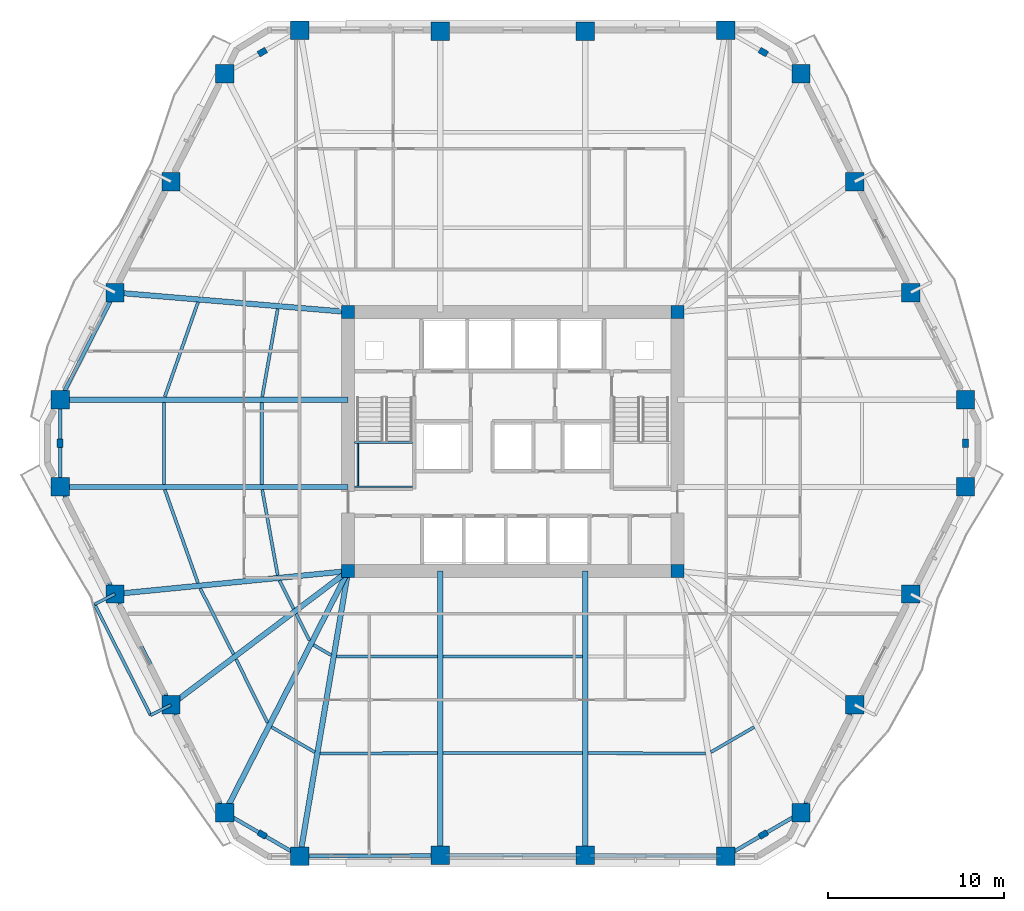
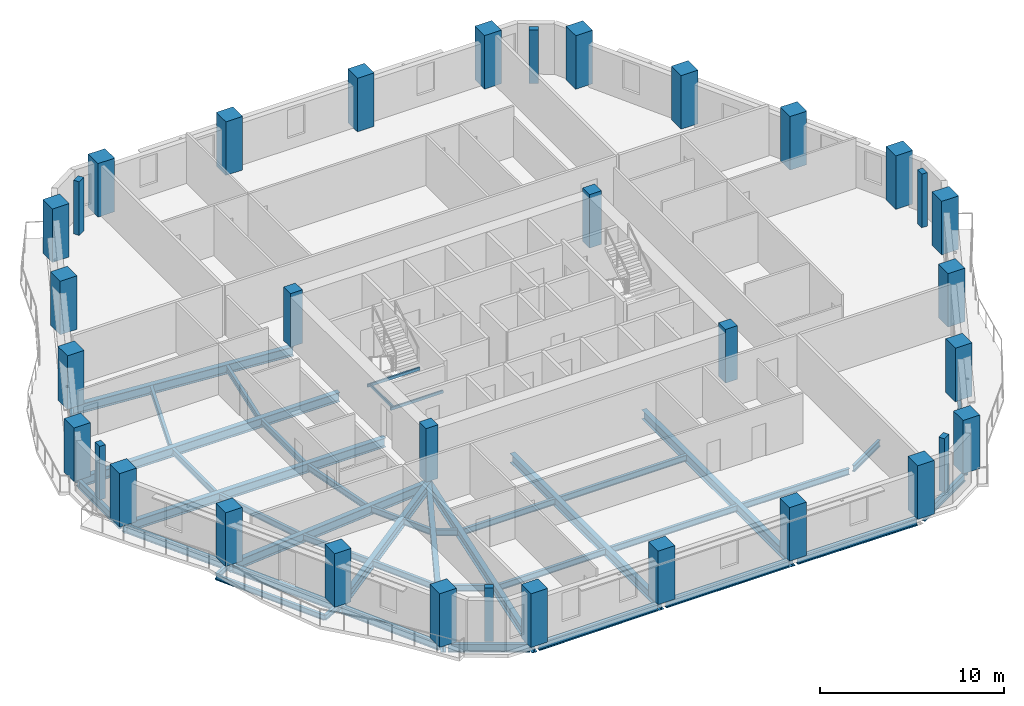
# One storey, part 1 of 13: 44 beams, 34 columns.
"""IFC4 building model written with IfcOpenShell, lengths in metres."""

from ifc_helpers import new_model, si_unit, direction, frame, origin, origin_2d, place, context, subcontext, project, spatial, rectangle, hollow_rectangle, i_section, extrude, material, material_profile, profile_set, type_object, element, save


model = new_model("IFC4")

# Units and contexts
model_context = context("Model", 3, precision=1e-05, world=origin(), true_north=direction((0.0, 1.0)))
body_context = subcontext(model_context, "Body", "Model", "MODEL_VIEW")
ifc_project = project(units=[si_unit("LENGTHUNIT", "METRE"), si_unit("AREAUNIT", "SQUARE_METRE"), si_unit("VOLUMEUNIT", "CUBIC_METRE"), si_unit("PLANEANGLEUNIT", "RADIAN"), si_unit("MASSUNIT", "GRAM", prefix="KILO")], contexts=[model_context])

# Site, building, storey
site_placement = place(None, origin())
site = spatial("IfcSite", under=ifc_project, at=site_placement, CompositionType="ELEMENT")
building_placement = place(site_placement, origin())
building = spatial("IfcBuilding", under=site, at=building_placement, Name="Cinnabar Lancet Tower", CompositionType="ELEMENT")
storey_placement = place(building_placement, frame((0.0, 0.0, 83.550048828125)))
storey = spatial("IfcBuildingStorey", under=building, at=storey_placement, Name="L21", CompositionType="ELEMENT", Elevation=83.550048828125)

# Columns
ifc_material_1 = material(Name="Concrete C70/85", Category="concrete")
ifc_material_profile_1 = material_profile(ifc_material_1, rectangle(XDim=0.75, YDim=0.75, at=origin_2d()), Name="RC-COL 750x750")
ifc_profile_set_1 = profile_set([ifc_material_profile_1], Name="Concrete C70/85")
column_type_1 = type_object("IfcColumnType", Name="STR-COL-CORE-750", PredefinedType="COLUMN", material=ifc_profile_set_1)
for number, where, z_axis, x_axis, name in (
    (1, (23.02490234375, 18.52490234375, 0.0), (0.0, 0.0, 1.0), (1.0, 0.0, 0.0), "L21 Core Corner Column SW"),
    (2, (41.77490234375, 18.52490234375, 0.0), (0.0, 0.0, 1.0), (1.0, 0.0, 0.0), "L21 Core Corner Column SE"),
    (3, (41.77490234375, 33.27490234375, 0.0), (0.0, 0.0, 1.0), (1.0, 0.0, 0.0), "L21 Core Corner Column NE"),
    (4, (23.02490234375, 33.27490234375, 0.0), (0.0, 0.0, 1.0), (1.0, 0.0, 0.0), "L21 Core Corner Column NW"),
):
    element("IfcColumn", number, at=place(storey_placement, frame(where, z_axis=z_axis, x_axis=x_axis)), inside=storey, type_object=column_type_1, Name=name, PredefinedType="COLUMN", context=body_context, shape_type="SweptSolid", body=[
        extrude(rectangle(XDim=0.75, YDim=0.75, at=origin_2d()), origin(), (0.0, 0.0, 1.0), 3.550048828125),
    ])
ifc_material_2 = material(Name="Concrete C60/75", Category="concrete")
ifc_material_profile_2 = material_profile(ifc_material_2, rectangle(XDim=0.5, YDim=0.35009765625, at=origin_2d()), Name="RC-PIL 500x350")
ifc_profile_set_2 = profile_set([ifc_material_profile_2], Name="Concrete C60/75")
column_type_2 = type_object("IfcColumnType", Name="STR-COL-PIL-500", PredefinedType="PILASTER", material=ifc_profile_set_2)
for number, where, z_axis, x_axis, name in (
    (5, (18.139892578125, 3.531005859375, 0.0), (0.0, 0.0, 1.0), (0.865195182343, -0.501435236546, 0.0), "L21 Chamfered Corner Pilaster 1"),
    (6, (46.659912109375, 3.531005859375, 0.0), (0.0, 0.0, 1.0), (0.865195182343, 0.501435236546, 0.0), "L21 Chamfered Corner Pilaster 2"),
    (7, (58.16796875, 25.800048828125, 0.0), (0.0, 0.0, 1.0), (0.0, 1.0, 0.0), "L21 Chamfered Corner Pilaster 3"),
    (8, (46.659912109375, 48.069091796875, 0.0), (0.0, 0.0, 1.0), (-0.865195182343, 0.501435236546, 0.0), "L21 Chamfered Corner Pilaster 4"),
    (9, (18.139892578125, 48.069091796875, 0.0), (0.0, 0.0, 1.0), (-0.865195182343, -0.501435236546, 0.0), "L21 Chamfered Corner Pilaster 5"),
    (10, (6.632080078125, 25.800048828125, 0.0), (0.0, 0.0, 1.0), (0.0, -1.0, 0.0), "L21 Chamfered Corner Pilaster 6"),
):
    element("IfcColumn", number, at=place(storey_placement, frame(where, z_axis=z_axis, x_axis=x_axis)), inside=storey, type_object=column_type_2, Name=name, PredefinedType="PILASTER", context=body_context, shape_type="SweptSolid", body=[
        extrude(rectangle(XDim=0.5, YDim=0.35009765625, at=origin_2d()), origin(), (0.0, 0.0, 1.0), 3.550048828125),
    ])
ifc_material_3 = material(Name="Concrete C70/85", Category="concrete")
ifc_material_profile_3 = material_profile(ifc_material_3, rectangle(XDim=1.050048828125, YDim=1.050048828125, at=origin_2d()), Name="RC-COL 1050x1050")
ifc_profile_set_3 = profile_set([ifc_material_profile_3], Name="Concrete C70/85")
column_type_3 = type_object("IfcColumnType", Name="STR-COL-TUBE-1050", PredefinedType="COLUMN", material=ifc_profile_set_3)
for number, where, z_axis, x_axis, name in (
    (11, (20.282958984375, 2.2890625, 0.0), (0.0, 0.0, 1.0), (1.0, 0.0, 0.0), "L21 Perimeter Tube Column 1"),
    (12, (28.278076171875, 2.342041015625, 0.0), (0.0, 0.0, 1.0), (1.0, 0.0, 0.0), "L21 Perimeter Tube Column 2"),
    (13, (36.52197265625, 2.342041015625, 0.0), (0.0, 0.0, 1.0), (1.0, 0.0, 0.0), "L21 Perimeter Tube Column 3"),
    (14, (44.51708984375, 2.2890625, 0.0), (0.0, 0.0, 1.0), (1.0, 0.0, 0.0), "L21 Perimeter Tube Column 4"),
    (15, (48.802978515625, 4.77294921875, 0.0), (0.0, 0.0, 1.0), (1.0, 0.0, 0.0), "L21 Perimeter Tube Column 5"),
    (16, (51.85888671875, 10.908935546875, 0.0), (0.0, 0.0, 1.0), (1.0, 0.0, 0.0), "L21 Perimeter Tube Column 6"),
    (17, (55.0458984375, 17.219970703125, 0.0), (0.0, 0.0, 1.0), (1.0, 0.0, 0.0), "L21 Perimeter Tube Column 7"),
    (18, (58.16796875, 23.31396484375, 0.0), (0.0, 0.0, 1.0), (1.0, 0.0, 0.0), "L21 Perimeter Tube Column 8"),
    (19, (58.16796875, 28.285888671875, 0.0), (0.0, 0.0, 1.0), (1.0, 0.0, 0.0), "L21 Perimeter Tube Column 9"),
    (20, (55.0458984375, 34.3798828125, 0.0), (0.0, 0.0, 1.0), (1.0, 0.0, 0.0), "L21 Perimeter Tube Column 10"),
    (21, (51.85888671875, 40.69091796875, 0.0), (0.0, 0.0, 1.0), (1.0, 0.0, 0.0), "L21 Perimeter Tube Column 11"),
    (22, (48.802978515625, 46.826904296875, 0.0), (0.0, 0.0, 1.0), (1.0, 0.0, 0.0), "L21 Perimeter Tube Column 12"),
    (23, (44.51708984375, 49.31103515625, 0.0), (0.0, 0.0, 1.0), (1.0, 0.0, 0.0), "L21 Perimeter Tube Column 13"),
    (24, (36.52197265625, 49.258056640625, 0.0), (0.0, 0.0, 1.0), (1.0, 0.0, 0.0), "L21 Perimeter Tube Column 14"),
    (25, (28.278076171875, 49.258056640625, 0.0), (0.0, 0.0, 1.0), (1.0, 0.0, 0.0), "L21 Perimeter Tube Column 15"),
    (26, (20.282958984375, 49.31103515625, 0.0), (0.0, 0.0, 1.0), (1.0, 0.0, 0.0), "L21 Perimeter Tube Column 16"),
    (27, (15.9970703125, 46.826904296875, 0.0), (0.0, 0.0, 1.0), (1.0, 0.0, 0.0), "L21 Perimeter Tube Column 17"),
    (28, (12.94091796875, 40.69091796875, 0.0), (0.0, 0.0, 1.0), (1.0, 0.0, 0.0), "L21 Perimeter Tube Column 18"),
    (29, (9.75390625, 34.3798828125, 0.0), (0.0, 0.0, 1.0), (1.0, 0.0, 0.0), "L21 Perimeter Tube Column 19"),
    (30, (6.632080078125, 28.285888671875, 0.0), (0.0, 0.0, 1.0), (1.0, 0.0, 0.0), "L21 Perimeter Tube Column 20"),
    (31, (6.632080078125, 23.31396484375, 0.0), (0.0, 0.0, 1.0), (1.0, 0.0, 0.0), "L21 Perimeter Tube Column 21"),
    (32, (9.75390625, 17.219970703125, 0.0), (0.0, 0.0, 1.0), (1.0, 0.0, 0.0), "L21 Perimeter Tube Column 22"),
    (33, (12.94091796875, 10.908935546875, 0.0), (0.0, 0.0, 1.0), (1.0, 0.0, 0.0), "L21 Perimeter Tube Column 23"),
    (34, (15.9970703125, 4.77294921875, 0.0), (0.0, 0.0, 1.0), (1.0, 0.0, 0.0), "L21 Perimeter Tube Column 24"),
):
    element("IfcColumn", number, at=place(storey_placement, frame(where, z_axis=z_axis, x_axis=x_axis)), inside=storey, type_object=column_type_3, Name=name, PredefinedType="COLUMN", context=body_context, shape_type="SweptSolid", body=[
        extrude(rectangle(XDim=1.050048828125, YDim=1.050048828125, at=origin_2d()), origin(), (0.0, 0.0, 1.0), 3.550048828125),
    ])

# Beams
ifc_material_4 = material(Name="Structural steel S355", Category="steel")
ifc_material_profile_4 = material_profile(ifc_material_4, i_section(OverallWidth=0.177978515625, OverallDepth=0.406494140625, WebThickness=0.0078125, FlangeThickness=0.0126953125, FilletRadius=0.01025390625, at=origin_2d()), Name="UKB 406x178x60")
ifc_profile_set_4 = profile_set([ifc_material_profile_4], Name="Structural steel S355")
beam_type_1 = type_object("IfcBeamType", Name="STR-BM-JST-406", PredefinedType="JOIST", material=ifc_profile_set_4)
beam_1_placement = place(storey_placement, frame((12.587890625, 23.159912109375, -0.423095703125), z_axis=(0.334895371125, -0.942255321237, 0.0), x_axis=(0.942255321237, 0.334895371125, 0.0)))
element("IfcBeam", 35, at=beam_1_placement, inside=storey, type_object=beam_type_1, Name="L21 Secondary Floor Joist 1", PredefinedType="JOIST", context=body_context, shape_type="SweptSolid", body=[
    extrude(i_section(OverallWidth=0.177978515625, OverallDepth=0.406494140625, WebThickness=0.0078125, FlangeThickness=0.0126953125, FilletRadius=0.01025390625, at=origin_2d()), origin(), (0.0, 0.0, 1.0), 5.64697265625),
])
beam_2_placement = place(storey_placement, frame((18.135009765625, 23.159912109375, -0.423095703125), z_axis=(0.177857522222, -0.984056249301, 0.0), x_axis=(0.984056249301, 0.177857522222, 0.0)))
element("IfcBeam", 36, at=beam_2_placement, inside=storey, type_object=beam_type_1, Name="L21 Secondary Floor Joist 2", PredefinedType="JOIST", context=body_context, shape_type="SweptSolid", body=[
    extrude(i_section(OverallWidth=0.177978515625, OverallDepth=0.406494140625, WebThickness=0.0078125, FlangeThickness=0.0126953125, FilletRadius=0.01025390625, at=origin_2d()), origin(), (0.0, 0.0, 1.0), 4.9541015625),
])
beam_3_placement = place(storey_placement, frame((14.60595703125, 17.54296875, -0.423095703125), z_axis=(0.45074077851, -0.89265488885, 0.0), x_axis=(0.89265488885, 0.45074077851, 0.0)))
element("IfcBeam", 37, at=beam_3_placement, inside=storey, type_object=beam_type_1, Name="L21 Secondary Floor Joist 3", PredefinedType="JOIST", context=body_context, shape_type="SweptSolid", body=[
    extrude(i_section(OverallWidth=0.177978515625, OverallDepth=0.406494140625, WebThickness=0.0078125, FlangeThickness=0.0126953125, FilletRadius=0.01025390625, at=origin_2d()), origin(), (0.0, 0.0, 1.0), 4.204345703125),
])
beam_4_placement = place(storey_placement, frame((19.117919921875, 17.987060546875, -0.423095703125), z_axis=(0.450301495902, -0.892876566379, 0.0), x_axis=(0.892876566379, 0.450301495902, 0.0)))
element("IfcBeam", 38, at=beam_4_placement, inside=storey, type_object=beam_type_1, Name="L21 Secondary Floor Joist 4", PredefinedType="JOIST", context=body_context, shape_type="SweptSolid", body=[
    extrude(i_section(OverallWidth=0.177978515625, OverallDepth=0.406494140625, WebThickness=0.0078125, FlangeThickness=0.0126953125, FilletRadius=0.01025390625, at=origin_2d()), origin(), (0.0, 0.0, 1.0), 1.801025390625),
])
beam_5_placement = place(storey_placement, frame((16.64111328125, 13.510986328125, -0.423095703125), z_axis=(0.445786702818, -0.895139215759, 0.0), x_axis=(0.895139215759, 0.445786702818, 0.0)))
element("IfcBeam", 39, at=beam_5_placement, inside=storey, type_object=beam_type_1, Name="L21 Secondary Floor Joist 5", PredefinedType="JOIST", context=body_context, shape_type="SweptSolid", body=[
    extrude(i_section(OverallWidth=0.177978515625, OverallDepth=0.406494140625, WebThickness=0.0078125, FlangeThickness=0.0126953125, FilletRadius=0.01025390625, at=origin_2d()), origin(), (0.0, 0.0, 1.0), 4.03955078125),
])
beam_6_placement = place(storey_placement, frame((20.069091796875, 16.10009765625, -0.423095703125), z_axis=(0.44578468599, -0.895140220154, 0.0), x_axis=(0.895140220154, 0.44578468599, 0.0)))
element("IfcBeam", 40, at=beam_6_placement, inside=storey, type_object=beam_type_1, Name="L21 Secondary Floor Joist 6", PredefinedType="JOIST", context=body_context, shape_type="SweptSolid", body=[
    extrude(i_section(OverallWidth=0.177978515625, OverallDepth=0.406494140625, WebThickness=0.0078125, FlangeThickness=0.0126953125, FilletRadius=0.01025390625, at=origin_2d()), origin(), (0.0, 0.0, 1.0), 1.709228515625),
])
beam_7_placement = place(storey_placement, frame((18.659912109375, 9.64697265625, -0.423095703125), z_axis=(0.865113631149, -0.50157592167, 0.0), x_axis=(0.50157592167, 0.865113631149, 0.0)))
element("IfcBeam", 41, at=beam_7_placement, inside=storey, type_object=beam_type_1, Name="L21 Secondary Floor Joist 7", PredefinedType="JOIST", context=body_context, shape_type="SweptSolid", body=[
    extrude(i_section(OverallWidth=0.177978515625, OverallDepth=0.406494140625, WebThickness=0.0078125, FlangeThickness=0.0126953125, FilletRadius=0.01025390625, at=origin_2d()), origin(), (0.0, 0.0, 1.0), 2.852783203125),
])
beam_8_placement = place(storey_placement, frame((21.050048828125, 14.322021484375, -0.423095703125), z_axis=(0.865192550274, -0.50143977799, 0.0), x_axis=(0.50143977799, 0.865192550274, 0.0)))
element("IfcBeam", 42, at=beam_8_placement, inside=storey, type_object=beam_type_1, Name="L21 Secondary Floor Joist 8", PredefinedType="JOIST", context=body_context, shape_type="SweptSolid", body=[
    extrude(i_section(OverallWidth=0.177978515625, OverallDepth=0.406494140625, WebThickness=0.0078125, FlangeThickness=0.0126953125, FilletRadius=0.01025390625, at=origin_2d()), origin(), (0.0, 0.0, 1.0), 1.16845703125),
])
beam_9_placement = place(storey_placement, frame((21.426025390625, 8.135009765625, -0.423095703125), z_axis=(0.999988600252, 0.004774868111, 0.0), x_axis=(-0.004774868111, 0.999988600252, 0.0)))
element("IfcBeam", 43, at=beam_9_placement, inside=storey, type_object=beam_type_1, Name="L21 Secondary Floor Joist 9", PredefinedType="JOIST", context=body_context, shape_type="SweptSolid", body=[
    extrude(i_section(OverallWidth=0.177978515625, OverallDepth=0.406494140625, WebThickness=0.0078125, FlangeThickness=0.0126953125, FilletRadius=0.01025390625, at=origin_2d()), origin(), (0.0, 0.0, 1.0), 6.697998046875),
])
beam_10_placement = place(storey_placement, frame((22.35791015625, 13.655029296875, -0.423095703125), z_axis=(0.999996664651, 0.002582767234, 0.0), x_axis=(-0.002582767234, 0.999996664651, 0.0)))
element("IfcBeam", 44, at=beam_10_placement, inside=storey, type_object=beam_type_1, Name="L21 Secondary Floor Joist 10", PredefinedType="JOIST", context=body_context, shape_type="SweptSolid", body=[
    extrude(i_section(OverallWidth=0.177978515625, OverallDepth=0.406494140625, WebThickness=0.0078125, FlangeThickness=0.0126953125, FilletRadius=0.01025390625, at=origin_2d()), origin(), (0.0, 0.0, 1.0), 5.76611328125),
])
for number, where, z_axis, x_axis, name in (
    (45, (28.431884765625, 8.16796875, -0.423095703125), (1.0, 0.0, 0.0), (0.0, 1.0, 0.0), "L21 Secondary Floor Joist 11"),
    (46, (28.431884765625, 13.669921875, -0.423095703125), (1.0, 0.0, 0.0), (0.0, 1.0, 0.0), "L21 Secondary Floor Joist 12"),
):
    element("IfcBeam", number, at=place(storey_placement, frame(where, z_axis=z_axis, x_axis=x_axis)), inside=storey, type_object=beam_type_1, Name=name, PredefinedType="JOIST", context=body_context, shape_type="SweptSolid", body=[
        extrude(i_section(OverallWidth=0.177978515625, OverallDepth=0.406494140625, WebThickness=0.0078125, FlangeThickness=0.0126953125, FilletRadius=0.01025390625, at=origin_2d()), origin(), (0.0, 0.0, 1.0), 7.93603515625),
    ])
beam_11_placement = place(storey_placement, frame((36.676025390625, 8.1669921875, -0.423095703125), z_axis=(0.999988600252, -0.004774868111, 0.0), x_axis=(0.004774868111, 0.999988600252, 0.0)))
element("IfcBeam", 47, at=beam_11_placement, inside=storey, type_object=beam_type_1, Name="L21 Secondary Floor Joist 13", PredefinedType="JOIST", context=body_context, shape_type="SweptSolid", body=[
    extrude(i_section(OverallWidth=0.177978515625, OverallDepth=0.406494140625, WebThickness=0.0078125, FlangeThickness=0.0126953125, FilletRadius=0.01025390625, at=origin_2d()), origin(), (0.0, 0.0, 1.0), 6.697998046875),
])
beam_12_placement = place(storey_placement, frame((43.672119140625, 8.216064453125, -0.423095703125), z_axis=(0.865092099041, 0.501613058219, 0.0), x_axis=(-0.501613058219, 0.865092099041, 0.0)))
element("IfcBeam", 48, at=beam_12_placement, inside=storey, type_object=beam_type_1, Name="L21 Secondary Floor Joist 15", PredefinedType="JOIST", context=body_context, shape_type="SweptSolid", body=[
    extrude(i_section(OverallWidth=0.177978515625, OverallDepth=0.406494140625, WebThickness=0.0078125, FlangeThickness=0.0126953125, FilletRadius=0.01025390625, at=origin_2d()), origin(), (0.0, 0.0, 1.0), 2.8525390625),
])
beam_13_placement = place(storey_placement, frame((14.47900390625, 33.83203125, -0.423095703125), z_axis=(-0.331107734144, -0.943592956942, 0.0), x_axis=(0.943592956942, -0.331107734144, 0.0)))
element("IfcBeam", 49, at=beam_13_placement, inside=storey, type_object=beam_type_1, Name="L21 Secondary Floor Joist 45", PredefinedType="JOIST", context=body_context, shape_type="SweptSolid", body=[
    extrude(i_section(OverallWidth=0.177978515625, OverallDepth=0.406494140625, WebThickness=0.0078125, FlangeThickness=0.0126953125, FilletRadius=0.01025390625, at=origin_2d()), origin(), (0.0, 0.0, 1.0), 5.71435546875),
])
beam_14_placement = place(storey_placement, frame((19.01708984375, 33.455078125, -0.423095703125), z_axis=(-0.173410624156, -0.984849610565, 0.0), x_axis=(0.984849610565, -0.173410624156, 0.0)))
element("IfcBeam", 50, at=beam_14_placement, inside=storey, type_object=beam_type_1, Name="L21 Secondary Floor Joist 46", PredefinedType="JOIST", context=body_context, shape_type="SweptSolid", body=[
    extrude(i_section(OverallWidth=0.177978515625, OverallDepth=0.406494140625, WebThickness=0.0078125, FlangeThickness=0.0126953125, FilletRadius=0.01025390625, at=origin_2d()), origin(), (0.0, 0.0, 1.0), 5.09228515625),
])
for number, where, z_axis, x_axis, name in (
    (51, (12.532958984375, 28.132080078125, -0.423095703125), (0.0, -1.0, 0.0), (1.0, 0.0, 0.0), "L21 Secondary Floor Joist 47"),
    (52, (18.10693359375, 28.132080078125, -0.423095703125), (0.0, -1.0, 0.0), (1.0, 0.0, 0.0), "L21 Secondary Floor Joist 48"),
):
    element("IfcBeam", number, at=place(storey_placement, frame(where, z_axis=z_axis, x_axis=x_axis)), inside=storey, type_object=beam_type_1, Name=name, PredefinedType="JOIST", context=body_context, shape_type="SweptSolid", body=[
        extrude(i_section(OverallWidth=0.177978515625, OverallDepth=0.406494140625, WebThickness=0.0078125, FlangeThickness=0.0126953125, FilletRadius=0.01025390625, at=origin_2d()), origin(), (0.0, 0.0, 1.0), 4.6640625),
    ])
ifc_material_5 = material(Name="Structural steel S355", Category="steel")
ifc_material_profile_5 = material_profile(ifc_material_5, hollow_rectangle(XDim=0.10009765625, YDim=0.199951171875, WallThickness=0.008056640625, InnerFilletRadius=0.00390625, OuterFilletRadius=0.011962890625, at=origin_2d()), Name="RHS 200x100x8")
ifc_profile_set_5 = profile_set([ifc_material_profile_5], Name="Structural steel S355")
beam_type_2 = type_object("IfcBeamType", Name="STR-BM-LND-203", PredefinedType="BEAM", material=ifc_profile_set_5)
for number, where, z_axis, x_axis, name in (
    (53, (23.39990234375, 23.330078125, 1.474853515625), (1.0, 0.0, 0.0), (0.0, 1.0, 0.0), "L21 ST-1-L21 Landing Support Beam S"),
    (54, (23.39990234375, 25.844970703125, 1.474853515625), (1.0, 0.0, 0.0), (0.0, 1.0, 0.0), "L21 ST-1-L21 Landing Support Beam N"),
):
    element("IfcBeam", number, at=place(storey_placement, frame(where, z_axis=z_axis, x_axis=x_axis)), inside=storey, type_object=beam_type_2, Name=name, PredefinedType="BEAM", context=body_context, shape_type="SweptSolid", body=[
        extrude(hollow_rectangle(XDim=0.10009765625, YDim=0.199951171875, WallThickness=0.008056640625, InnerFilletRadius=0.00390625, OuterFilletRadius=0.011962890625, at=origin_2d()), origin(), (0.0, 0.0, 1.0), 3.280029296875),
    ])
beam_15_placement = place(storey_placement, frame((23.580078125, 23.3798828125, 1.474853515625), z_axis=(0.0, 1.0, 0.0), x_axis=(-1.0, 0.0, 0.0)))
element("IfcBeam", 55, at=beam_15_placement, inside=storey, type_object=beam_type_2, Name="L21 ST-1-L21 Landing Side Trimmer Beam", PredefinedType="BEAM", context=body_context, shape_type="SweptSolid", body=[
    extrude(hollow_rectangle(XDim=0.10009765625, YDim=0.199951171875, WallThickness=0.008056640625, InnerFilletRadius=0.00390625, OuterFilletRadius=0.011962890625, at=origin_2d()), origin(), (0.0, 0.0, 1.0), 2.4150390625),
])
ifc_material_6 = material(Name="Structural steel S355", Category="steel")
ifc_material_profile_6 = material_profile(ifc_material_6, i_section(OverallWidth=0.209228515625, OverallDepth=0.533203125, WebThickness=0.010009765625, FlangeThickness=0.015625, FilletRadius=0.0126953125, at=origin_2d()), Name="UKB 533x210x92")
ifc_profile_set_6 = profile_set([ifc_material_profile_6], Name="Structural steel S355")
beam_type_3 = type_object("IfcBeamType", Name="STR-BM-SPN-533", PredefinedType="SPANDREL", material=ifc_profile_set_6)
beam_16_placement = place(storey_placement, frame((20.532958984375, 2.291015625, -0.487060546875), z_axis=(0.99997856757, 0.006547090947, 0.0), x_axis=(-0.006547090947, 0.99997856757, 0.0)))
element("IfcBeam", 56, at=beam_16_placement, inside=storey, type_object=beam_type_3, Name="L21 Perimeter Spandrel 1", PredefinedType="SPANDREL", context=body_context, shape_type="SweptSolid", body=[
    extrude(i_section(OverallWidth=0.209228515625, OverallDepth=0.533203125, WebThickness=0.010009765625, FlangeThickness=0.015625, FilletRadius=0.0126953125, at=origin_2d()), origin(), (0.0, 0.0, 1.0), 7.495361328125),
])
beam_17_placement = place(storey_placement, frame((28.528076171875, 2.342041015625, -0.487060546875), z_axis=(1.0, 0.0, 0.0), x_axis=(0.0, 1.0, 0.0)))
element("IfcBeam", 57, at=beam_17_placement, inside=storey, type_object=beam_type_3, Name="L21 Perimeter Spandrel 2", PredefinedType="SPANDREL", context=body_context, shape_type="SweptSolid", body=[
    extrude(i_section(OverallWidth=0.209228515625, OverallDepth=0.533203125, WebThickness=0.010009765625, FlangeThickness=0.015625, FilletRadius=0.0126953125, at=origin_2d()), origin(), (0.0, 0.0, 1.0), 7.743896484375),
])
beam_18_placement = place(storey_placement, frame((36.77197265625, 2.340087890625, -0.487060546875), z_axis=(0.99997856757, -0.006547090947, 0.0), x_axis=(0.006547090947, 0.99997856757, 0.0)))
element("IfcBeam", 58, at=beam_18_placement, inside=storey, type_object=beam_type_3, Name="L21 Perimeter Spandrel 3", PredefinedType="SPANDREL", context=body_context, shape_type="SweptSolid", body=[
    extrude(i_section(OverallWidth=0.209228515625, OverallDepth=0.533203125, WebThickness=0.010009765625, FlangeThickness=0.015625, FilletRadius=0.0126953125, at=origin_2d()), origin(), (0.0, 0.0, 1.0), 7.495361328125),
])
beam_19_placement = place(storey_placement, frame((44.73291015625, 2.4140625, -0.487060546875), z_axis=(0.865171017323, 0.501476929463, 0.0), x_axis=(-0.501476929463, 0.865171017323, 0.0)))
element("IfcBeam", 59, at=beam_19_placement, inside=storey, type_object=beam_type_3, Name="L21 Perimeter Spandrel 4", PredefinedType="SPANDREL", context=body_context, shape_type="SweptSolid", body=[
    extrude(i_section(OverallWidth=0.209228515625, OverallDepth=0.533203125, WebThickness=0.010009765625, FlangeThickness=0.015625, FilletRadius=0.0126953125, at=origin_2d()), origin(), (0.0, 0.0, 1.0), 4.45458984375),
])
beam_20_placement = place(storey_placement, frame((48.9140625, 4.9970703125, -0.487060546875), z_axis=(0.445953050023, 0.89505635419, 0.0), x_axis=(-0.89505635419, 0.445953050023, 0.0)))
element("IfcBeam", 60, at=beam_20_placement, inside=storey, type_object=beam_type_3, Name="L21 Perimeter Spandrel 5", PredefinedType="SPANDREL", context=body_context, shape_type="SweptSolid", body=[
    extrude(i_section(OverallWidth=0.209228515625, OverallDepth=0.533203125, WebThickness=0.010009765625, FlangeThickness=0.015625, FilletRadius=0.0126953125, at=origin_2d()), origin(), (0.0, 0.0, 1.0), 6.35498046875),
])
beam_21_placement = place(storey_placement, frame((9.639892578125, 34.156982421875, -0.487060546875), z_axis=(-0.455994051912, -0.889982822655, 0.0), x_axis=(0.889982822655, -0.455994051912, 0.0)))
element("IfcBeam", 61, at=beam_21_placement, inside=storey, type_object=beam_type_3, Name="L21 Perimeter Spandrel 19", PredefinedType="SPANDREL", context=body_context, shape_type="SweptSolid", body=[
    extrude(i_section(OverallWidth=0.209228515625, OverallDepth=0.533203125, WebThickness=0.010009765625, FlangeThickness=0.015625, FilletRadius=0.0126953125, at=origin_2d()), origin(), (0.0, 0.0, 1.0), 6.34619140625),
])
beam_22_placement = place(storey_placement, frame((6.632080078125, 28.035888671875, -0.487060546875), z_axis=(0.0, -1.0, 0.0), x_axis=(1.0, 0.0, 0.0)))
element("IfcBeam", 62, at=beam_22_placement, inside=storey, type_object=beam_type_3, Name="L21 Perimeter Spandrel 20", PredefinedType="SPANDREL", context=body_context, shape_type="SweptSolid", body=[
    extrude(i_section(OverallWidth=0.209228515625, OverallDepth=0.533203125, WebThickness=0.010009765625, FlangeThickness=0.015625, FilletRadius=0.0126953125, at=origin_2d()), origin(), (0.0, 0.0, 1.0), 4.471923828125),
])
beam_23_placement = place(storey_placement, frame((6.74609375, 23.091064453125, -0.487060546875), z_axis=(0.455994051912, -0.889982822655, 0.0), x_axis=(0.889982822655, 0.455994051912, 0.0)))
element("IfcBeam", 63, at=beam_23_placement, inside=storey, type_object=beam_type_3, Name="L21 Perimeter Spandrel 21", PredefinedType="SPANDREL", context=body_context, shape_type="SweptSolid", body=[
    extrude(i_section(OverallWidth=0.209228515625, OverallDepth=0.533203125, WebThickness=0.010009765625, FlangeThickness=0.015625, FilletRadius=0.0126953125, at=origin_2d()), origin(), (0.0, 0.0, 1.0), 6.34619140625),
])
beam_24_placement = place(storey_placement, frame((9.866943359375, 16.9970703125, -0.487060546875), z_axis=(0.450673532306, -0.892688841242, 0.0), x_axis=(0.892688841242, 0.450673532306, 0.0)))
element("IfcBeam", 64, at=beam_24_placement, inside=storey, type_object=beam_type_3, Name="L21 Perimeter Spandrel 22", PredefinedType="SPANDREL", context=body_context, shape_type="SweptSolid", body=[
    extrude(i_section(OverallWidth=0.209228515625, OverallDepth=0.533203125, WebThickness=0.010009765625, FlangeThickness=0.015625, FilletRadius=0.0126953125, at=origin_2d()), origin(), (0.0, 0.0, 1.0), 6.570068359375),
])
beam_25_placement = place(storey_placement, frame((13.052001953125, 10.68505859375, -0.487060546875), z_axis=(0.445953050023, -0.89505635419, 0.0), x_axis=(0.89505635419, 0.445953050023, 0.0)))
element("IfcBeam", 65, at=beam_25_placement, inside=storey, type_object=beam_type_3, Name="L21 Perimeter Spandrel 23", PredefinedType="SPANDREL", context=body_context, shape_type="SweptSolid", body=[
    extrude(i_section(OverallWidth=0.209228515625, OverallDepth=0.533203125, WebThickness=0.010009765625, FlangeThickness=0.015625, FilletRadius=0.0126953125, at=origin_2d()), origin(), (0.0, 0.0, 1.0), 6.35498046875),
])
beam_26_placement = place(storey_placement, frame((16.212890625, 4.64794921875, -0.487060546875), z_axis=(0.865171017323, -0.501476929463, 0.0), x_axis=(0.501476929463, 0.865171017323, 0.0)))
element("IfcBeam", 66, at=beam_26_placement, inside=storey, type_object=beam_type_3, Name="L21 Perimeter Spandrel 24", PredefinedType="SPANDREL", context=body_context, shape_type="SweptSolid", body=[
    extrude(i_section(OverallWidth=0.209228515625, OverallDepth=0.533203125, WebThickness=0.010009765625, FlangeThickness=0.015625, FilletRadius=0.0126953125, at=origin_2d()), origin(), (0.0, 0.0, 1.0), 4.45458984375),
])
ifc_material_7 = material(Name="Structural steel S355", Category="steel")
ifc_material_profile_7 = material_profile(ifc_material_7, i_section(OverallWidth=0.30712890625, OverallDepth=0.6201171875, WebThickness=0.01416015625, FlangeThickness=0.023681640625, FilletRadius=0.0166015625, at=origin_2d()), Name="UKB 610x305x179")
ifc_profile_set_7 = profile_set([ifc_material_profile_7], Name="Structural steel S355")
beam_type_4 = type_object("IfcBeamType", Name="STR-BM-UKB610-179", PredefinedType="BEAM", material=ifc_profile_set_7)
beam_27_placement = place(storey_placement, frame((12.94091796875, 10.908935546875, -0.530029296875), z_axis=(0.797983154837, 0.602679752933, 0.0), x_axis=(-0.602679752933, 0.797983154837, 0.0)))
element("IfcBeam", 67, at=beam_27_placement, inside=storey, type_object=beam_type_4, Name="L21 Corner Collector Girder 1", PredefinedType="BEAM", context=body_context, shape_type="SweptSolid", body=[
    extrude(i_section(OverallWidth=0.30712890625, OverallDepth=0.6201171875, WebThickness=0.01416015625, FlangeThickness=0.023681640625, FilletRadius=0.0166015625, at=origin_2d()), origin(), (0.0, 0.0, 1.0), 12.63671875),
])
beam_28_placement = place(storey_placement, frame((20.282958984375, 2.2890625, -0.530029296875), z_axis=(0.166524102484, 0.986037384328, 0.0), x_axis=(-0.986037384328, 0.166524102484, 0.0)))
element("IfcBeam", 68, at=beam_28_placement, inside=storey, type_object=beam_type_4, Name="L21 Primary Floor Girder 1", PredefinedType="BEAM", context=body_context, shape_type="SweptSolid", body=[
    extrude(i_section(OverallWidth=0.30712890625, OverallDepth=0.6201171875, WebThickness=0.01416015625, FlangeThickness=0.023681640625, FilletRadius=0.0166015625, at=origin_2d()), origin(), (0.0, 0.0, 1.0), 16.4658203125),
])
for number, where, z_axis, x_axis, name in (
    (69, (28.278076171875, 2.342041015625, -0.530029296875), (0.0, 1.0, 0.0), (-1.0, 0.0, 0.0), "L21 Primary Floor Girder 2"),
    (70, (36.52197265625, 2.342041015625, -0.530029296875), (0.0, 1.0, 0.0), (-1.0, 0.0, 0.0), "L21 Primary Floor Girder 3"),
):
    element("IfcBeam", number, at=place(storey_placement, frame(where, z_axis=z_axis, x_axis=x_axis)), inside=storey, type_object=beam_type_4, Name=name, PredefinedType="BEAM", context=body_context, shape_type="SweptSolid", body=[
        extrude(i_section(OverallWidth=0.30712890625, OverallDepth=0.6201171875, WebThickness=0.01416015625, FlangeThickness=0.023681640625, FilletRadius=0.0166015625, at=origin_2d()), origin(), (0.0, 0.0, 1.0), 16.182861328125),
    ])
beam_29_placement = place(storey_placement, frame((9.75390625, 34.3798828125, -0.530029296875), z_axis=(0.996551571824, -0.08297568737, 0.0), x_axis=(0.08297568737, 0.996551571824, 0.0)))
element("IfcBeam", 71, at=beam_29_placement, inside=storey, type_object=beam_type_4, Name="L21 Primary Floor Girder 19", PredefinedType="BEAM", context=body_context, shape_type="SweptSolid", body=[
    extrude(i_section(OverallWidth=0.30712890625, OverallDepth=0.6201171875, WebThickness=0.01416015625, FlangeThickness=0.023681640625, FilletRadius=0.0166015625, at=origin_2d()), origin(), (0.0, 0.0, 1.0), 13.31689453125),
])
for number, where, z_axis, x_axis, name in (
    (72, (6.632080078125, 28.285888671875, -0.530029296875), (1.0, 0.0, 0.0), (0.0, 1.0, 0.0), "L21 Primary Floor Girder 20"),
    (73, (6.632080078125, 23.31396484375, -0.530029296875), (1.0, 0.0, 0.0), (0.0, 1.0, 0.0), "L21 Primary Floor Girder 21"),
):
    element("IfcBeam", number, at=place(storey_placement, frame(where, z_axis=z_axis, x_axis=x_axis)), inside=storey, type_object=beam_type_4, Name=name, PredefinedType="BEAM", context=body_context, shape_type="SweptSolid", body=[
        extrude(i_section(OverallWidth=0.30712890625, OverallDepth=0.6201171875, WebThickness=0.01416015625, FlangeThickness=0.023681640625, FilletRadius=0.0166015625, at=origin_2d()), origin(), (0.0, 0.0, 1.0), 16.392822265625),
    ])
beam_30_placement = place(storey_placement, frame((9.75390625, 17.219970703125, -0.530029296875), z_axis=(0.995200421983, 0.097857652149, 0.0), x_axis=(-0.097857652149, 0.995200421983, 0.0)))
element("IfcBeam", 74, at=beam_30_placement, inside=storey, type_object=beam_type_4, Name="L21 Primary Floor Girder 22", PredefinedType="BEAM", context=body_context, shape_type="SweptSolid", body=[
    extrude(i_section(OverallWidth=0.30712890625, OverallDepth=0.6201171875, WebThickness=0.01416015625, FlangeThickness=0.023681640625, FilletRadius=0.0166015625, at=origin_2d()), origin(), (0.0, 0.0, 1.0), 13.3349609375),
])
beam_31_placement = place(storey_placement, frame((15.9970703125, 4.77294921875, -0.530029296875), z_axis=(0.455062593839, 0.890459452018, 0.0), x_axis=(-0.890459452018, 0.455062593839, 0.0)))
element("IfcBeam", 75, at=beam_31_placement, inside=storey, type_object=beam_type_4, Name="L21 Primary Floor Girder 24", PredefinedType="BEAM", context=body_context, shape_type="SweptSolid", body=[
    extrude(i_section(OverallWidth=0.30712890625, OverallDepth=0.6201171875, WebThickness=0.01416015625, FlangeThickness=0.023681640625, FilletRadius=0.0166015625, at=origin_2d()), origin(), (0.0, 0.0, 1.0), 15.443603515625),
])
ifc_material_8 = material(Name="Structural steel S355", Category="steel")
ifc_material_profile_8 = material_profile(ifc_material_8, i_section(OverallWidth=0.17138671875, OverallDepth=0.35498046875, WebThickness=0.00732421875, FlangeThickness=0.011474609375, FilletRadius=0.01025390625, at=origin_2d()), Name="UKB 356x171x51")
ifc_profile_set_8 = profile_set([ifc_material_profile_8], Name="Structural steel S355")
beam_type_5 = type_object("IfcBeamType", Name="STR-BM-WAV-OUT", PredefinedType="BEAM", material=ifc_profile_set_8)
for number, where, z_axis, x_axis, name in (
    (76, (9.75390625, 17.219970703125, -0.39697265625), (-0.89227592947, -0.451490493464, 0.0), (0.451490493464, -0.89227592947, 0.0), "L21 Face 6 Balcony Outlooker A"),
    (77, (12.94091796875, 10.908935546875, -0.39697265625), (-0.89227592947, -0.451490493464, 0.0), (0.451490493464, -0.89227592947, 0.0), "L21 Face 6 Balcony Outlooker B"),
):
    element("IfcBeam", number, at=place(storey_placement, frame(where, z_axis=z_axis, x_axis=x_axis)), inside=storey, type_object=beam_type_5, Name=name, PredefinedType="BEAM", context=body_context, shape_type="SweptSolid", body=[
        extrude(i_section(OverallWidth=0.17138671875, OverallDepth=0.35498046875, WebThickness=0.00732421875, FlangeThickness=0.011474609375, FilletRadius=0.01025390625, at=origin_2d()), origin(), (0.0, 0.0, 1.0), 1.300048828125),
    ])
ifc_material_9 = material(Name="Structural steel S355", Category="steel")
ifc_material_profile_9 = material_profile(ifc_material_9, i_section(OverallWidth=0.17138671875, OverallDepth=0.35498046875, WebThickness=0.00732421875, FlangeThickness=0.011474609375, FilletRadius=0.01025390625, at=origin_2d()), Name="UKB 356x171x51")
ifc_profile_set_9 = profile_set([ifc_material_profile_9], Name="Structural steel S355")
beam_type_6 = type_object("IfcBeamType", Name="STR-BM-WAV-TRIM", PredefinedType="SPANDREL", material=ifc_profile_set_9)
beam_32_placement = place(storey_placement, frame((8.593994140625, 16.633056640625, -0.39697265625), z_axis=(0.450773692627, -0.892638268301, 0.0), x_axis=(0.892638268301, 0.450773692627, 0.0)))
element("IfcBeam", 78, at=beam_32_placement, inside=storey, type_object=beam_type_6, Name="L21 Face 6 Balcony Edge Trimmer", PredefinedType="SPANDREL", context=body_context, shape_type="SweptSolid", body=[
    extrude(i_section(OverallWidth=0.17138671875, OverallDepth=0.35498046875, WebThickness=0.00732421875, FlangeThickness=0.011474609375, FilletRadius=0.01025390625, at=origin_2d()), origin(), (0.0, 0.0, 1.0), 7.070068359375),
])

save(model, "model.ifc")
